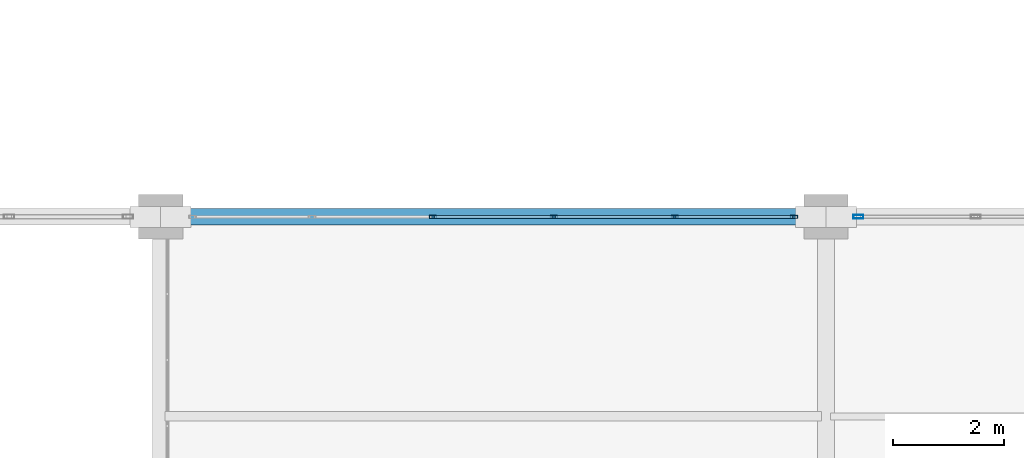
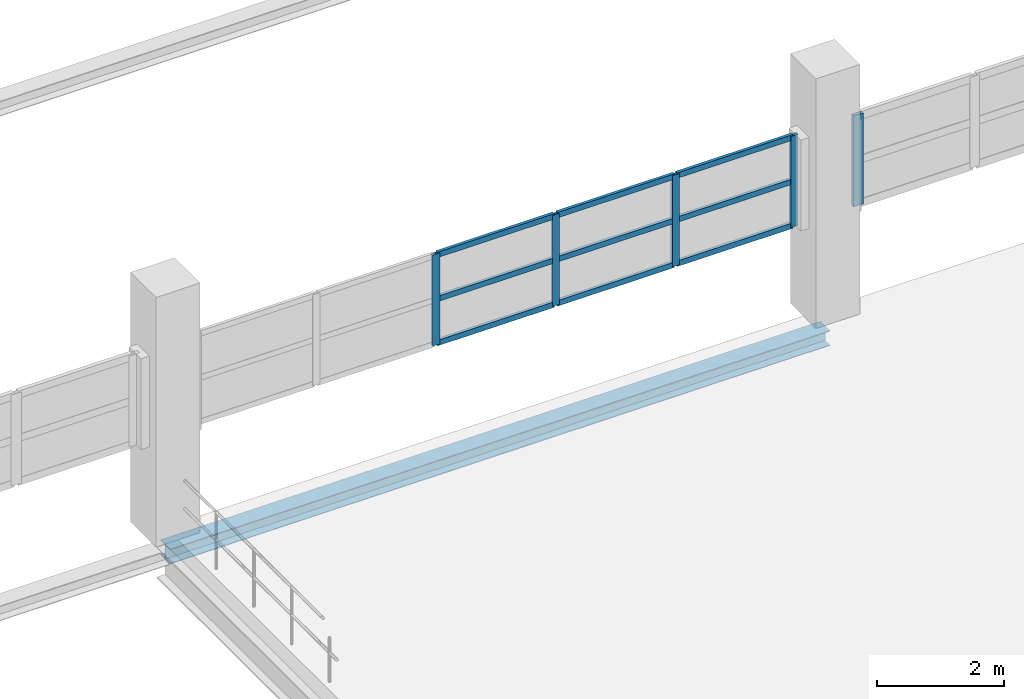
# One storey, part 62 of 86: 14 members, 1 beam, 2 elements without a shape of their own.
"""IFC4 building model written with IfcOpenShell, lengths in metres."""

from ifc_helpers import new_model, si_unit, direction, frame, origin, origin_2d, place, context, subcontext, project, spatial, hollow_rectangle, i_section, extrude, material, layer, layer_set, material_profile, profile_set, type_object, element, aggregate, save


model = new_model("IFC4")

# Units and contexts
model_context = context("Model", 3, precision=1e-05, world=origin(), true_north=direction((0.0, 1.0)))
body_context = subcontext(model_context, "Body", "Model", "MODEL_VIEW")
ifc_project = project(units=[si_unit("LENGTHUNIT", "METRE"), si_unit("AREAUNIT", "SQUARE_METRE"), si_unit("VOLUMEUNIT", "CUBIC_METRE"), si_unit("PLANEANGLEUNIT", "RADIAN"), si_unit("MASSUNIT", "GRAM", prefix="KILO")], contexts=[model_context])

# Site, building, storey
site_placement = place(None, origin())
site = spatial("IfcSite", under=ifc_project, at=site_placement, CompositionType="ELEMENT")
building_placement = place(site_placement, origin())
building = spatial("IfcBuilding", under=site, at=building_placement, Name="Zilviju Railside Exhibition Hall", CompositionType="ELEMENT")
storey_placement = place(building_placement, frame((0.0, 0.0, 12.60009765625)))
storey = spatial("IfcBuildingStorey", under=building, at=storey_placement, Name="L04", CompositionType="ELEMENT", Elevation=12.60009765625)

# Beam
ifc_material_1 = material(Name="Steel S355J2", Category="steel")
ifc_material_profile_1 = material_profile(ifc_material_1, i_section(OverallWidth=0.300048828125, OverallDepth=0.2900390625, WebThickness=0.008544921875, FlangeThickness=0.013916015625, at=origin_2d()), Name="HEA 300")
ifc_profile_set_1 = profile_set([ifc_material_profile_1], Name="Steel S355J2")
beam_type = type_object("IfcBeamType", Name="BM-HEA300", PredefinedType="SPANDREL", material=ifc_profile_set_1)
beam_placement = place(storey_placement, frame((156.0, 138.0, -0.47509765625), z_axis=(1.0, 0.0, 0.0), x_axis=(0.0, 1.0, 0.0)))
element("IfcBeam", 1, at=beam_placement, inside=storey, type_object=beam_type, Name="Primary Girder L04 Y=138.0 (156.0..168.0)", PredefinedType="SPANDREL", context=body_context, shape_type="SweptSolid", body=[
    extrude(i_section(OverallWidth=0.300048828125, OverallDepth=0.2900390625, WebThickness=0.008544921875, FlangeThickness=0.013916015625, at=origin_2d()), origin(), (0.0, 0.0, 1.0), 12.0),
])

# Curtain wall, members
ifc_material_2 = material(Name="Thermally broken aluminium-steel triple-glazed curtain wall", Category="steel")
ifc_layer_1 = layer(ifc_material_2, 0.179931640625)
ifc_layer_set_1 = layer_set([ifc_layer_1], Name="Thermally broken aluminium-steel triple-glazed curtain wall")
curtain_wall_type_1 = type_object("IfcCurtainWallType", Name="CW-BAY-08", PredefinedType="USERDEFINED", material=ifc_layer_set_1)
curtain_wall_1_placement = place(storey_placement, origin())
curtain_wall_1 = element("IfcCurtainWall", 2, at=curtain_wall_1_placement, inside=storey, type_object=curtain_wall_type_1, Name="North Hall Clerestory Curtain Wall L04 (156..168)", ObjectType="GLAZED CURTAIN WALL", PredefinedType="USERDEFINED")
ifc_material_3 = material(Name="Thermally broken anodized aluminium mullion", Category="aluminium")
ifc_material_profile_2 = material_profile(ifc_material_3, hollow_rectangle(XDim=0.054931640625, YDim=0.1298828125, WallThickness=0.0048828125, at=origin_2d()), Name="MULLION 130x55x5")
ifc_profile_set_2 = profile_set([ifc_material_profile_2], Name="Thermally broken anodized aluminium mullion")
member_type_1 = type_object("IfcMemberType", Name="CWM-55x130", PredefinedType="MULLION", material=ifc_profile_set_2)
member_1_placement = place(storey_placement, frame((160.909912109375, 138.0, 1.7998046875), z_axis=(0.0, 0.0, 1.0), x_axis=(0.0, 1.0, 0.0)))
member_1 = element("IfcMember", 3, at=member_1_placement, type_object=member_type_1, Name="CW-08 mullion 3", PredefinedType="MULLION", context=body_context, shape_type="SweptSolid", body=[
    extrude(hollow_rectangle(XDim=0.054931640625, YDim=0.1298828125, WallThickness=0.0048828125, at=origin_2d()), origin(), (0.0, 0.0, 1.0), 1.75),
])
member_2_placement = place(storey_placement, frame((163.090087890625, 138.0, 1.7998046875), z_axis=(0.0, 0.0, 1.0), x_axis=(0.0, 1.0, 0.0)))
member_2 = element("IfcMember", 4, at=member_2_placement, type_object=member_type_1, Name="CW-08 mullion 4", PredefinedType="MULLION", context=body_context, shape_type="SweptSolid", body=[
    extrude(hollow_rectangle(XDim=0.054931640625, YDim=0.1298828125, WallThickness=0.0048828125, at=origin_2d()), origin(), (0.0, 0.0, 1.0), 1.75),
])
member_3_placement = place(storey_placement, frame((165.27001953125, 138.0, 1.7998046875), z_axis=(0.0, 0.0, 1.0), x_axis=(0.0, 1.0, 0.0)))
member_3 = element("IfcMember", 5, at=member_3_placement, type_object=member_type_1, Name="CW-08 mullion 5", PredefinedType="MULLION", context=body_context, shape_type="SweptSolid", body=[
    extrude(hollow_rectangle(XDim=0.054931640625, YDim=0.1298828125, WallThickness=0.0048828125, at=origin_2d()), origin(), (0.0, 0.0, 1.0), 1.75),
])
member_4_placement = place(storey_placement, frame((167.422607421875, 138.0, 1.7998046875), z_axis=(0.0, 0.0, 1.0), x_axis=(0.0, 1.0, 0.0)))
member_4 = element("IfcMember", 6, at=member_4_placement, type_object=member_type_1, Name="CW-08 mullion 6", PredefinedType="MULLION", context=body_context, shape_type="SweptSolid", body=[
    extrude(hollow_rectangle(XDim=0.054931640625, YDim=0.1298828125, WallThickness=0.0048828125, at=origin_2d()), origin(), (0.0, 0.0, 1.0), 1.75),
])

# Curtain wall, member
ifc_layer_2 = layer(ifc_material_2, 0.179931640625)
ifc_layer_set_2 = layer_set([ifc_layer_2], Name="Thermally broken aluminium-steel triple-glazed curtain wall")
curtain_wall_type_2 = type_object("IfcCurtainWallType", Name="CW-BAY-09", PredefinedType="USERDEFINED", material=ifc_layer_set_2)
curtain_wall_2_placement = place(storey_placement, origin())
curtain_wall_2 = element("IfcCurtainWall", 7, at=curtain_wall_2_placement, inside=storey, type_object=curtain_wall_type_2, Name="North Hall Clerestory Curtain Wall L04 (168..173)", ObjectType="GLAZED CURTAIN WALL", PredefinedType="USERDEFINED")
ifc_material_profile_3 = material_profile(ifc_material_3, hollow_rectangle(XDim=0.070068359375, YDim=0.179931640625, WallThickness=0.0048828125, at=origin_2d()), Name="MULLION 180x70x5")
ifc_profile_set_3 = profile_set([ifc_material_profile_3], Name="Thermally broken anodized aluminium mullion")
member_type_2 = type_object("IfcMemberType", Name="CWM-70x180", PredefinedType="MULLION", material=ifc_profile_set_3)
member_5_placement = place(storey_placement, frame((168.5849609375, 138.0, 1.7998046875), z_axis=(0.0, 0.0, 1.0), x_axis=(0.0, 1.0, 0.0)))
member_5 = element("IfcMember", 8, at=member_5_placement, type_object=member_type_2, Name="CW-09 mullion 1", PredefinedType="MULLION", context=body_context, shape_type="SweptSolid", body=[
    extrude(hollow_rectangle(XDim=0.070068359375, YDim=0.179931640625, WallThickness=0.0048828125, at=origin_2d()), origin(), (0.0, 0.0, 1.0), 1.75),
])
aggregate(curtain_wall_2, [member_5])

# Member
ifc_material_4 = material(Name="Thermally broken anodized aluminium transom", Category="aluminium")
ifc_material_profile_4 = material_profile(ifc_material_4, hollow_rectangle(XDim=0.054931640625, YDim=0.10498046875, WallThickness=0.0048828125, at=origin_2d()), Name="TRANSOM 105x55x5")
ifc_profile_set_4 = profile_set([ifc_material_profile_4], Name="Thermally broken anodized aluminium transom")
member_type_3 = type_object("IfcMemberType", Name="CWT-55x105", PredefinedType="USERDEFINED", material=ifc_profile_set_4)
member_6_placement = place(storey_placement, frame((160.9375, 138.0, 1.827392578125), z_axis=(1.0, 0.0, 0.0), x_axis=(0.0, 1.0, 0.0)))
member_6 = element("IfcMember", 9, at=member_6_placement, type_object=member_type_3, Name="CW-08 transom 3.1", ObjectType="TRANSOM", PredefinedType="USERDEFINED", context=body_context, shape_type="SweptSolid", body=[
    extrude(hollow_rectangle(XDim=0.054931640625, YDim=0.10498046875, WallThickness=0.0048828125, at=origin_2d()), origin(), (0.0, 0.0, 1.0), 2.125),
])

member_7_placement = place(storey_placement, frame((160.9375, 138.0, 2.6748046875), z_axis=(1.0, 0.0, 0.0), x_axis=(0.0, 1.0, 0.0)))
member_7 = element("IfcMember", 10, at=member_7_placement, type_object=member_type_3, Name="CW-08 transom 3.2", ObjectType="TRANSOM", PredefinedType="USERDEFINED", context=body_context, shape_type="SweptSolid", body=[
    extrude(hollow_rectangle(XDim=0.054931640625, YDim=0.10498046875, WallThickness=0.0048828125, at=origin_2d()), origin(), (0.0, 0.0, 1.0), 2.125),
])

member_8_placement = place(storey_placement, frame((160.9375, 138.0, 3.5224609375), z_axis=(1.0, 0.0, 0.0), x_axis=(0.0, 1.0, 0.0)))
member_8 = element("IfcMember", 11, at=member_8_placement, type_object=member_type_3, Name="CW-08 transom 3.3", ObjectType="TRANSOM", PredefinedType="USERDEFINED", context=body_context, shape_type="SweptSolid", body=[
    extrude(hollow_rectangle(XDim=0.054931640625, YDim=0.10498046875, WallThickness=0.0048828125, at=origin_2d()), origin(), (0.0, 0.0, 1.0), 2.125),
])

member_9_placement = place(storey_placement, frame((163.117431640625, 138.0, 1.827392578125), z_axis=(1.0, 0.0, 0.0), x_axis=(0.0, 1.0, 0.0)))
member_9 = element("IfcMember", 12, at=member_9_placement, type_object=member_type_3, Name="CW-08 transom 4.1", ObjectType="TRANSOM", PredefinedType="USERDEFINED", context=body_context, shape_type="SweptSolid", body=[
    extrude(hollow_rectangle(XDim=0.054931640625, YDim=0.10498046875, WallThickness=0.0048828125, at=origin_2d()), origin(), (0.0, 0.0, 1.0), 2.125),
])

member_10_placement = place(storey_placement, frame((163.117431640625, 138.0, 2.6748046875), z_axis=(1.0, 0.0, 0.0), x_axis=(0.0, 1.0, 0.0)))
member_10 = element("IfcMember", 13, at=member_10_placement, type_object=member_type_3, Name="CW-08 transom 4.2", ObjectType="TRANSOM", PredefinedType="USERDEFINED", context=body_context, shape_type="SweptSolid", body=[
    extrude(hollow_rectangle(XDim=0.054931640625, YDim=0.10498046875, WallThickness=0.0048828125, at=origin_2d()), origin(), (0.0, 0.0, 1.0), 2.125),
])

member_11_placement = place(storey_placement, frame((163.117431640625, 138.0, 3.5224609375), z_axis=(1.0, 0.0, 0.0), x_axis=(0.0, 1.0, 0.0)))
member_11 = element("IfcMember", 14, at=member_11_placement, type_object=member_type_3, Name="CW-08 transom 4.3", ObjectType="TRANSOM", PredefinedType="USERDEFINED", context=body_context, shape_type="SweptSolid", body=[
    extrude(hollow_rectangle(XDim=0.054931640625, YDim=0.10498046875, WallThickness=0.0048828125, at=origin_2d()), origin(), (0.0, 0.0, 1.0), 2.125),
])

member_12_placement = place(storey_placement, frame((165.297607421875, 138.0, 1.827392578125), z_axis=(1.0, 0.0, 0.0), x_axis=(0.0, 1.0, 0.0)))
member_12 = element("IfcMember", 15, at=member_12_placement, type_object=member_type_3, Name="CW-08 transom 5.1", ObjectType="TRANSOM", PredefinedType="USERDEFINED", context=body_context, shape_type="SweptSolid", body=[
    extrude(hollow_rectangle(XDim=0.054931640625, YDim=0.10498046875, WallThickness=0.0048828125, at=origin_2d()), origin(), (0.0, 0.0, 1.0), 2.097412109375),
])

member_13_placement = place(storey_placement, frame((165.297607421875, 138.0, 2.6748046875), z_axis=(1.0, 0.0, 0.0), x_axis=(0.0, 1.0, 0.0)))
member_13 = element("IfcMember", 16, at=member_13_placement, type_object=member_type_3, Name="CW-08 transom 5.2", ObjectType="TRANSOM", PredefinedType="USERDEFINED", context=body_context, shape_type="SweptSolid", body=[
    extrude(hollow_rectangle(XDim=0.054931640625, YDim=0.10498046875, WallThickness=0.0048828125, at=origin_2d()), origin(), (0.0, 0.0, 1.0), 2.097412109375),
])

member_14_placement = place(storey_placement, frame((165.297607421875, 138.0, 3.5224609375), z_axis=(1.0, 0.0, 0.0), x_axis=(0.0, 1.0, 0.0)))
member_14 = element("IfcMember", 17, at=member_14_placement, type_object=member_type_3, Name="CW-08 transom 5.3", ObjectType="TRANSOM", PredefinedType="USERDEFINED", context=body_context, shape_type="SweptSolid", body=[
    extrude(hollow_rectangle(XDim=0.054931640625, YDim=0.10498046875, WallThickness=0.0048828125, at=origin_2d()), origin(), (0.0, 0.0, 1.0), 2.097412109375),
])

aggregate(curtain_wall_1, [member_1, member_2, member_3, member_4, member_6, member_7, member_8, member_9, member_10, member_11, member_12, member_13, member_14])

save(model, "model.ifc")
